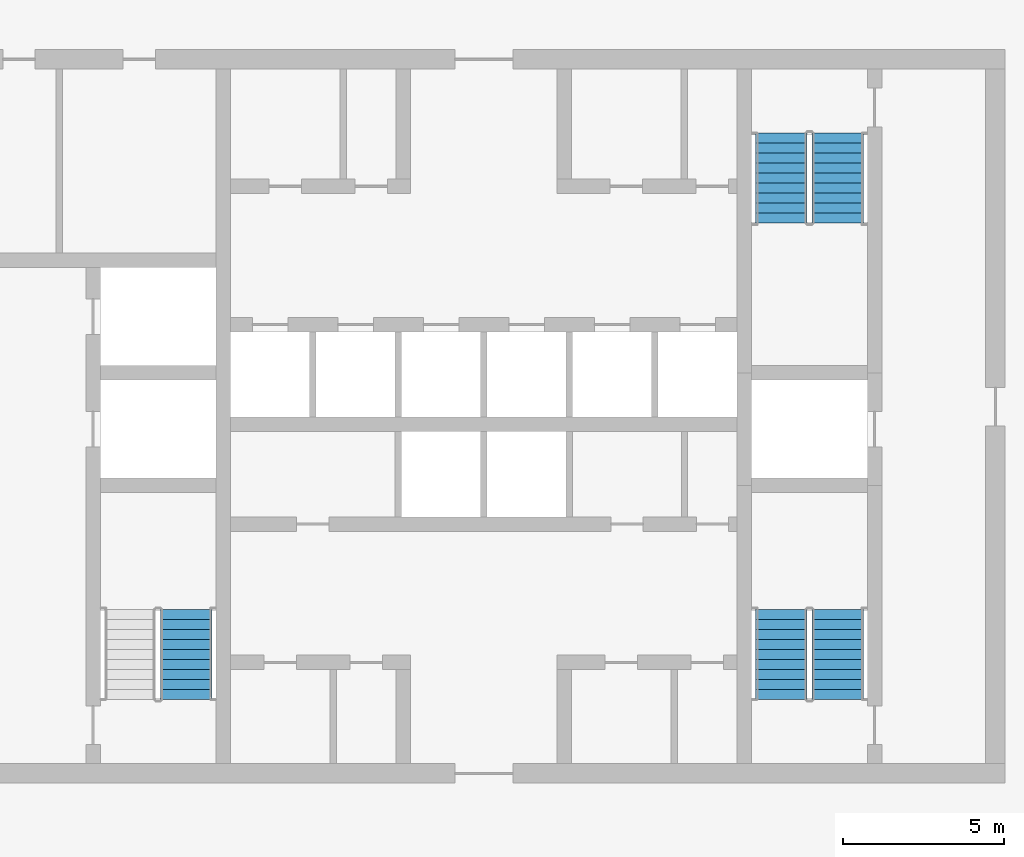
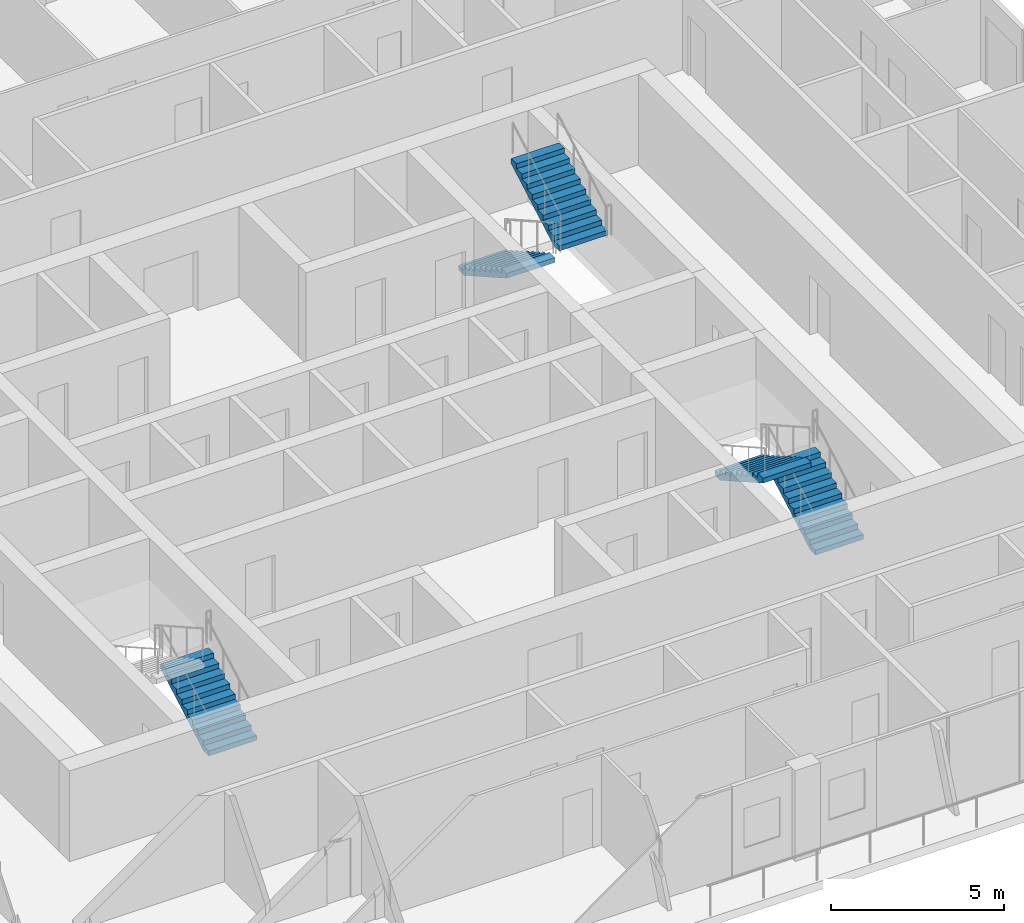
# One storey, part 16 of 22: 5 stair flights, 3 elements without a shape of their own.
"""IFC4 building model written with IfcOpenShell, lengths in metres."""

from ifc_helpers import new_model, si_unit, direction, frame, origin, place, context, subcontext, project, spatial, polyline, outline, extrude, material, type_object, element, aggregate, save


model = new_model("IFC4")

# Units and contexts
model_context = context("Model", 3, precision=1e-05, world=origin(), true_north=direction((0.0, 1.0)))
body_context = subcontext(model_context, "Body", "Model", "MODEL_VIEW")
ifc_project = project(units=[si_unit("LENGTHUNIT", "METRE"), si_unit("AREAUNIT", "SQUARE_METRE"), si_unit("VOLUMEUNIT", "CUBIC_METRE"), si_unit("PLANEANGLEUNIT", "RADIAN"), si_unit("MASSUNIT", "GRAM", prefix="KILO")], contexts=[model_context])

# Site, building, storey
site_placement = place(None, origin())
site = spatial("IfcSite", under=ifc_project, at=site_placement, CompositionType="ELEMENT")
building_placement = place(site_placement, origin())
building = spatial("IfcBuilding", under=site, at=building_placement, Name="Madar Terraces", CompositionType="ELEMENT")
storey_placement = place(building_placement, frame((0.0, 0.0, 249.199951171875)))
storey = spatial("IfcBuildingStorey", under=building, at=storey_placement, Name="L65", CompositionType="ELEMENT", Elevation=249.199951171875)

# Stair, stair flight
ifc_material_1 = material(Name="Concrete C50/60", Category="concrete")
stair_type_1 = type_object("IfcStairType", Name="Stair ST1 protected exit", PredefinedType="HALF_TURN_STAIR", material=ifc_material_1)
stair_1_placement = place(storey_placement, origin())
stair_1 = element("IfcStair", 1, at=stair_1_placement, inside=storey, type_object=stair_type_1, Name="L65 Protected Exit Stair ST1", PredefinedType="HALF_TURN_STAIR")
ifc_material_2 = material(Name="Concrete C50/60", Category="concrete")
stair_flight_type_1 = type_object("IfcStairFlightType", Name="Stair flight ST1-F4, 1600 wide, 10 risers", PredefinedType="STRAIGHT", material=ifc_material_2)
stair_flight_1_placement = place(storey_placement, frame((21.949951171875, 17.60009765625, 0.0), z_axis=(0.0, 0.0, 1.0), x_axis=(0.0, 1.0, 0.0)))
stair_flight_1 = element("IfcStairFlight", 2, at=stair_flight_1_placement, type_object=stair_flight_type_1, Name="ST1 flight 1", NumberOfRisers=10, NumberOfTreads=9, PredefinedType="STRAIGHT", RiserHeight=0.175, TreadLength=0.31, context=body_context, shape_type="SweptSolid", body=[
    extrude(outline(polyline([(0.0, 0.0), (0.0, 0.175048828125), (0.31005859375, 0.175048828125), (0.31005859375, 0.35009765625), (0.6201171875, 0.35009765625), (0.6201171875, 0.52490234375), (0.929931640625, 0.52490234375), (0.929931640625, 0.699951171875), (1.239990234375, 0.699951171875), (1.239990234375, 0.875), (1.550048828125, 0.875), (1.550048828125, 1.050048828125), (1.860107421875, 1.050048828125), (1.860107421875, 1.22509765625), (2.169921875, 1.22509765625), (2.169921875, 1.39990234375), (2.47998046875, 1.39990234375), (2.47998046875, 1.574951171875), (2.7900390625, 1.574951171875), (2.7900390625, 1.75), (2.7900390625, 1.40283203125), (0.304931640625, 0.0), (0.0, 0.0)])), frame((0.0, 0.800048828125, 0.0), z_axis=(0.0, -1.0, 0.0), x_axis=(1.0, 0.0, 0.0)), (0.0, 0.0, 1.0), 1.60009765625),
])
aggregate(stair_1, [stair_flight_1])

# Stair, stair flights
ifc_material_3 = material(Name="Concrete C50/60", Category="concrete")
stair_type_2 = type_object("IfcStairType", Name="Stair ST2 protected exit", PredefinedType="HALF_TURN_STAIR", material=ifc_material_3)
stair_2_placement = place(storey_placement, origin())
stair_2 = element("IfcStair", 3, at=stair_2_placement, inside=storey, type_object=stair_type_2, Name="L65 Protected Exit Stair ST2", PredefinedType="HALF_TURN_STAIR")
ifc_material_4 = material(Name="Concrete C50/60", Category="concrete")
stair_flight_type_2 = type_object("IfcStairFlightType", Name="Stair flight ST2-F4, 1600 wide, 10 risers", PredefinedType="STRAIGHT", material=ifc_material_4)
stair_flight_2_placement = place(storey_placement, frame((40.449951171875, 35.199951171875, 0.0), z_axis=(0.0, 0.0, 1.0), x_axis=(0.0, -1.0, 0.0)))
stair_flight_2 = element("IfcStairFlight", 4, at=stair_flight_2_placement, type_object=stair_flight_type_2, Name="ST2 flight 1", NumberOfRisers=10, NumberOfTreads=9, PredefinedType="STRAIGHT", RiserHeight=0.175, TreadLength=0.31, context=body_context, shape_type="SweptSolid", body=[
    extrude(outline(polyline([(0.0, 0.0), (0.0, 0.175048828125), (0.31005859375, 0.175048828125), (0.31005859375, 0.35009765625), (0.6201171875, 0.35009765625), (0.6201171875, 0.52490234375), (0.929931640625, 0.52490234375), (0.929931640625, 0.699951171875), (1.239990234375, 0.699951171875), (1.239990234375, 0.875), (1.550048828125, 0.875), (1.550048828125, 1.050048828125), (1.860107421875, 1.050048828125), (1.860107421875, 1.22509765625), (2.169921875, 1.22509765625), (2.169921875, 1.39990234375), (2.47998046875, 1.39990234375), (2.47998046875, 1.574951171875), (2.7900390625, 1.574951171875), (2.7900390625, 1.75), (2.7900390625, 1.40283203125), (0.304931640625, 0.0), (0.0, 0.0)])), frame((0.0, 0.800048828125, 0.0), z_axis=(0.0, -1.0, 0.0), x_axis=(1.0, 0.0, 0.0)), (0.0, 0.0, 1.0), 1.60009765625),
])
stair_flight_3_placement = place(storey_placement, frame((42.199951171875, 32.409912109375, 1.75), z_axis=(0.0, 0.0, 1.0), x_axis=(0.0, 1.0, 0.0)))
stair_flight_3 = element("IfcStairFlight", 5, at=stair_flight_3_placement, type_object=stair_flight_type_2, Name="ST2 flight 2", NumberOfRisers=10, NumberOfTreads=9, PredefinedType="STRAIGHT", RiserHeight=0.175, TreadLength=0.31, context=body_context, shape_type="SweptSolid", body=[
    extrude(outline(polyline([(0.0, 0.0), (0.0, 0.175048828125), (0.31005859375, 0.175048828125), (0.31005859375, 0.35009765625), (0.6201171875, 0.35009765625), (0.6201171875, 0.52490234375), (0.929931640625, 0.52490234375), (0.929931640625, 0.699951171875), (1.239990234375, 0.699951171875), (1.239990234375, 0.875), (1.550048828125, 0.875), (1.550048828125, 1.050048828125), (1.860107421875, 1.050048828125), (1.860107421875, 1.22509765625), (2.169921875, 1.22509765625), (2.169921875, 1.39990234375), (2.47998046875, 1.39990234375), (2.47998046875, 1.574951171875), (2.7900390625, 1.574951171875), (2.7900390625, 1.75), (2.7900390625, 1.40283203125), (0.304931640625, 0.0), (0.0, 0.0)])), frame((0.0, 0.800048828125, 0.0), z_axis=(0.0, -1.0, 0.0), x_axis=(1.0, 0.0, 0.0)), (0.0, 0.0, 1.0), 1.60009765625),
])
aggregate(stair_2, [stair_flight_2, stair_flight_3])

ifc_material_5 = material(Name="Concrete C50/60", Category="concrete")
stair_type_3 = type_object("IfcStairType", Name="Stair ST3 protected exit", PredefinedType="HALF_TURN_STAIR", material=ifc_material_5)
stair_3_placement = place(storey_placement, origin())
stair_3 = element("IfcStair", 6, at=stair_3_placement, inside=storey, type_object=stair_type_3, Name="L65 Protected Exit Stair ST3", PredefinedType="HALF_TURN_STAIR")
ifc_material_6 = material(Name="Concrete C50/60", Category="concrete")
stair_flight_type_3 = type_object("IfcStairFlightType", Name="Stair flight ST3-F4, 1600 wide, 10 risers", PredefinedType="STRAIGHT", material=ifc_material_6)
stair_flight_4_placement = place(storey_placement, frame((42.199951171875, 17.60009765625, 0.0), z_axis=(0.0, 0.0, 1.0), x_axis=(0.0, 1.0, 0.0)))
stair_flight_4 = element("IfcStairFlight", 7, at=stair_flight_4_placement, type_object=stair_flight_type_3, Name="ST3 flight 1", NumberOfRisers=10, NumberOfTreads=9, PredefinedType="STRAIGHT", RiserHeight=0.175, TreadLength=0.31, context=body_context, shape_type="SweptSolid", body=[
    extrude(outline(polyline([(0.0, 0.0), (0.0, 0.175048828125), (0.31005859375, 0.175048828125), (0.31005859375, 0.35009765625), (0.6201171875, 0.35009765625), (0.6201171875, 0.52490234375), (0.929931640625, 0.52490234375), (0.929931640625, 0.699951171875), (1.239990234375, 0.699951171875), (1.239990234375, 0.875), (1.550048828125, 0.875), (1.550048828125, 1.050048828125), (1.860107421875, 1.050048828125), (1.860107421875, 1.22509765625), (2.169921875, 1.22509765625), (2.169921875, 1.39990234375), (2.47998046875, 1.39990234375), (2.47998046875, 1.574951171875), (2.7900390625, 1.574951171875), (2.7900390625, 1.75), (2.7900390625, 1.40283203125), (0.304931640625, 0.0), (0.0, 0.0)])), frame((0.0, 0.800048828125, 0.0), z_axis=(0.0, -1.0, 0.0), x_axis=(1.0, 0.0, 0.0)), (0.0, 0.0, 1.0), 1.60009765625),
])
stair_flight_5_placement = place(storey_placement, frame((40.449951171875, 20.389892578125, 1.75), z_axis=(0.0, 0.0, 1.0), x_axis=(0.0, -1.0, 0.0)))
stair_flight_5 = element("IfcStairFlight", 8, at=stair_flight_5_placement, type_object=stair_flight_type_3, Name="ST3 flight 2", NumberOfRisers=10, NumberOfTreads=9, PredefinedType="STRAIGHT", RiserHeight=0.175, TreadLength=0.31, context=body_context, shape_type="SweptSolid", body=[
    extrude(outline(polyline([(0.0, 0.0), (0.0, 0.175048828125), (0.31005859375, 0.175048828125), (0.31005859375, 0.35009765625), (0.6201171875, 0.35009765625), (0.6201171875, 0.52490234375), (0.929931640625, 0.52490234375), (0.929931640625, 0.699951171875), (1.239990234375, 0.699951171875), (1.239990234375, 0.875), (1.550048828125, 0.875), (1.550048828125, 1.050048828125), (1.860107421875, 1.050048828125), (1.860107421875, 1.22509765625), (2.169921875, 1.22509765625), (2.169921875, 1.39990234375), (2.47998046875, 1.39990234375), (2.47998046875, 1.574951171875), (2.7900390625, 1.574951171875), (2.7900390625, 1.75), (2.7900390625, 1.40283203125), (0.304931640625, 0.0), (0.0, 0.0)])), frame((0.0, 0.800048828125, 0.0), z_axis=(0.0, -1.0, 0.0), x_axis=(1.0, 0.0, 0.0)), (0.0, 0.0, 1.0), 1.60009765625),
])
aggregate(stair_3, [stair_flight_4, stair_flight_5])

save(model, "model.ifc")
